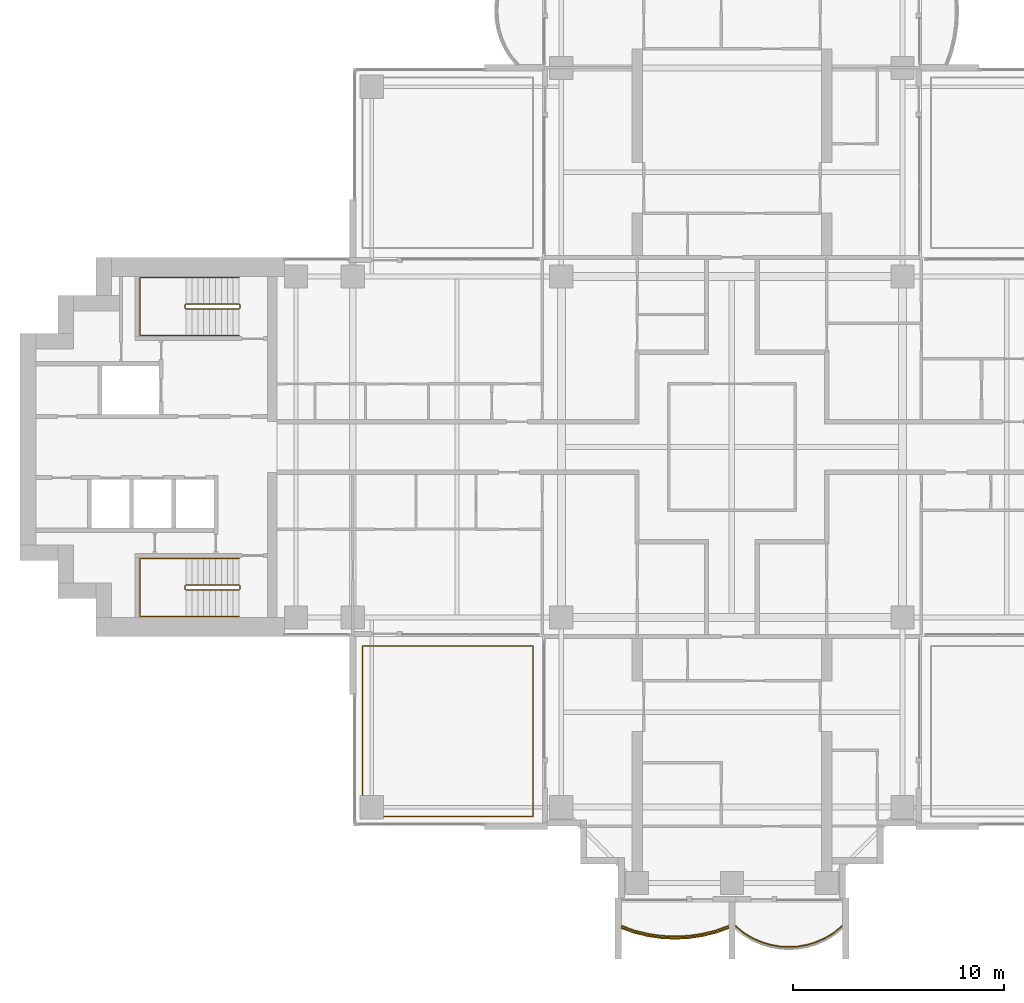
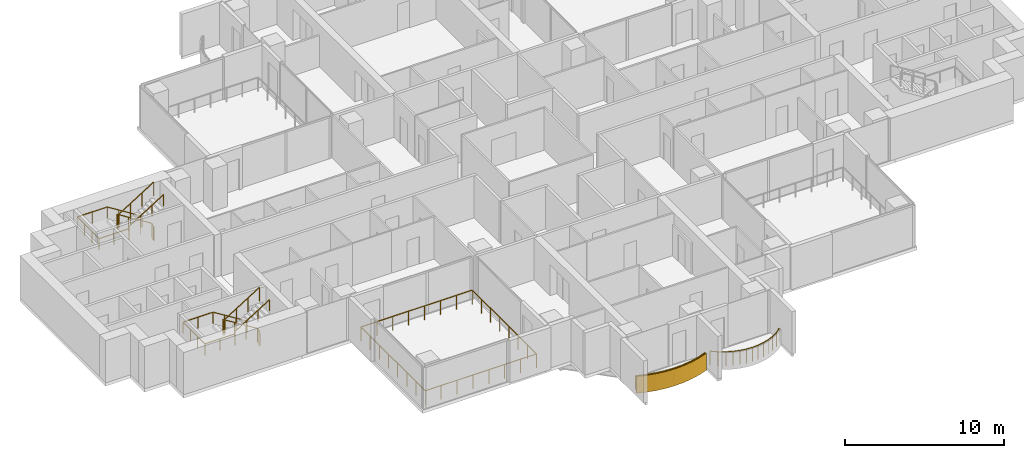
# One storey, part 16 of 18: 7 railings, 1 covering.
"""IFC4 building model written with IfcOpenShell, lengths in metres."""

from ifc_helpers import new_model, si_unit, direction, frame, origin, origin_2d, place, context, subcontext, project, spatial, polyline, rectangle, outline, extrude, material, layer, layer_set, type_object, element, save


model = new_model("IFC4")

# Units and contexts
model_context = context("Model", 3, precision=1e-05, world=origin(), true_north=direction((0.0, 1.0)))
body_context = subcontext(model_context, "Body", "Model", "MODEL_VIEW")
ifc_project = project(units=[si_unit("LENGTHUNIT", "METRE"), si_unit("AREAUNIT", "SQUARE_METRE"), si_unit("VOLUMEUNIT", "CUBIC_METRE"), si_unit("PLANEANGLEUNIT", "RADIAN"), si_unit("MASSUNIT", "GRAM", prefix="KILO")], contexts=[model_context])

# Site, building, storey
site_placement = place(None, origin())
site = spatial("IfcSite", under=ifc_project, at=site_placement, CompositionType="ELEMENT")
building_placement = place(site_placement, origin())
building = spatial("IfcBuilding", under=site, at=building_placement, Name="Perihelion Cross Residences", CompositionType="ELEMENT")
storey_placement = place(building_placement, frame((0.0, 0.0, 130.39990234375)))
storey = spatial("IfcBuildingStorey", under=building, at=storey_placement, Name="L31", CompositionType="ELEMENT", Elevation=130.39990234375)

# Covering
ifc_material_1 = material(Name="Bronze anodised aluminium", Category="aluminium")
ifc_layer = layer(ifc_material_1, 0.070068359375)
ifc_layer_set = layer_set([ifc_layer], Name="Balcony fascia 1300")
covering_type = type_object("IfcCoveringType", Name="Balcony fascia 1300", PredefinedType="CLADDING", material=ifc_layer_set)
covering_placement = place(storey_placement, frame((0.0, 0.0, -0.199951171875)))
element("IfcCovering", 1, at=covering_placement, inside=storey, type_object=covering_type, Name="Fascia BF1 L31 south tip south bay 1", PredefinedType="CLADDING", context=body_context, shape_type="SweptSolid", body=[
    extrude(outline(polyline([(-4.63232421875, -23.090576171875), (-3.98828125, -23.247314453125), (-3.34423828125, -23.339599609375), (-2.699951171875, -23.3701171875), (-2.055908203125, -23.339599609375), (-1.411865234375, -23.247314453125), (-0.767578125, -23.090576171875), (-0.14990234375, -22.874267578125), (-0.14990234375, -22.800048828125), (-0.78759765625, -23.0234375), (-1.425048828125, -23.178466796875), (-2.0625, -23.269775390625), (-2.699951171875, -23.300048828125), (-3.33740234375, -23.269775390625), (-3.97509765625, -23.178466796875), (-4.612548828125, -23.0234375), (-5.25, -22.800048828125), (-5.25, -22.874267578125), (-4.63232421875, -23.090576171875)])), origin(), (0.0, 0.0, 1.0), 1.300048828125),
])

# Railings
ifc_material_2 = material(Name="Bronze anodised aluminium", Category="aluminium")
railing_type_1 = type_object("IfcRailingType", Name="Balcony guard 1100", PredefinedType="GUARDRAIL", material=ifc_material_2)
railing_1_placement = place(storey_placement, frame((-5.22509765625, -22.739990234375, 0.0)))
element("IfcRailing", 2, at=railing_1_placement, inside=storey, type_object=railing_type_1, Name="Guard GU1 L31 south tip south bay 1 balcony", PredefinedType="GUARDRAIL", context=body_context, shape_type="SweptSolid", body=[
    extrude(rectangle(XDim=0.048095703125, YDim=0.048095703125, at=origin_2d()), frame((0.0, 0.0, 1.076171875), z_axis=(0.939355405384, -0.342945217749, 0.0), x_axis=(0.342945217749, 0.939355405384, 0.0)), (0.0, 0.0, 1.0), 0.652099609375),
    extrude(rectangle(XDim=0.048095703125, YDim=0.048095703125, at=origin_2d()), frame((0.612548828125, -0.2236328125, 1.076171875), z_axis=(0.971676841941, -0.236313594268, 0.0), x_axis=(0.236313594268, 0.971676841941, 0.0)), (0.0, 0.0, 1.0), 0.656005859375),
    extrude(rectangle(XDim=0.048095703125, YDim=0.048095703125, at=origin_2d()), frame((1.25, -0.378662109375, 1.076171875), z_axis=(0.989903964498, -0.141739694763, 0.0), x_axis=(0.141739694763, 0.989903964498, 0.0)), (0.0, 0.0, 1.0), 0.644287109375),
    extrude(rectangle(XDim=0.048095703125, YDim=0.048095703125, at=origin_2d()), frame((1.8876953125, -0.469970703125, 1.076171875), z_axis=(0.998892243319, -0.04705620296, 0.0), x_axis=(0.04705620296, 0.998892243319, 0.0)), (0.0, 0.0, 1.0), 0.63818359375),
    extrude(rectangle(XDim=0.048095703125, YDim=0.048095703125, at=origin_2d()), frame((2.525146484375, -0.5, 1.076171875), z_axis=(0.998892243319, 0.04705620296, 0.0), x_axis=(-0.04705620296, 0.998892243319, 0.0)), (0.0, 0.0, 1.0), 0.63818359375),
    extrude(rectangle(XDim=0.048095703125, YDim=0.048095703125, at=origin_2d()), frame((3.16259765625, -0.469970703125, 1.076171875), z_axis=(0.989896346386, 0.141792889142, 0.0), x_axis=(-0.141792889142, 0.989896346386, 0.0)), (0.0, 0.0, 1.0), 0.64404296875),
    extrude(rectangle(XDim=0.048095703125, YDim=0.048095703125, at=origin_2d()), frame((3.800048828125, -0.378662109375, 1.076171875), z_axis=(0.971676841941, 0.236313594268, 0.0), x_axis=(-0.236313594268, 0.971676841941, 0.0)), (0.0, 0.0, 1.0), 0.656005859375),
    extrude(rectangle(XDim=0.048095703125, YDim=0.048095703125, at=origin_2d()), frame((4.4375, -0.2236328125, 1.076171875), z_axis=(0.939355405384, 0.342945217749, 0.0), x_axis=(-0.342945217749, 0.939355405384, 0.0)), (0.0, 0.0, 1.0), 0.652099609375),
    extrude(rectangle(XDim=0.0419921875, YDim=0.0419921875, at=origin_2d()), origin(), (0.0, 0.0, 1.0), 1.052001953125),
    extrude(rectangle(XDim=0.0419921875, YDim=0.0419921875, at=origin_2d()), frame((0.612548828125, -0.2236328125, 0.0)), (0.0, 0.0, 1.0), 1.052001953125),
    extrude(rectangle(XDim=0.0419921875, YDim=0.0419921875, at=origin_2d()), frame((1.25, -0.378662109375, 0.0)), (0.0, 0.0, 1.0), 1.052001953125),
    extrude(rectangle(XDim=0.0419921875, YDim=0.0419921875, at=origin_2d()), frame((1.8876953125, -0.469970703125, 0.0)), (0.0, 0.0, 1.0), 1.052001953125),
    extrude(rectangle(XDim=0.0419921875, YDim=0.0419921875, at=origin_2d()), frame((2.525146484375, -0.5, 0.0)), (0.0, 0.0, 1.0), 1.052001953125),
    extrude(rectangle(XDim=0.0419921875, YDim=0.0419921875, at=origin_2d()), frame((3.16259765625, -0.469970703125, 0.0)), (0.0, 0.0, 1.0), 1.052001953125),
    extrude(rectangle(XDim=0.0419921875, YDim=0.0419921875, at=origin_2d()), frame((3.800048828125, -0.378662109375, 0.0)), (0.0, 0.0, 1.0), 1.052001953125),
    extrude(rectangle(XDim=0.0419921875, YDim=0.0419921875, at=origin_2d()), frame((4.4375, -0.2236328125, 0.0)), (0.0, 0.0, 1.0), 1.052001953125),
    extrude(rectangle(XDim=0.0419921875, YDim=0.0419921875, at=origin_2d()), frame((5.050048828125, 0.0, 0.0)), (0.0, 0.0, 1.0), 1.052001953125),
])
railing_2_placement = place(storey_placement, frame((0.175048828125, -22.739990234375, 0.0)))
element("IfcRailing", 3, at=railing_2_placement, inside=storey, type_object=railing_type_1, Name="Guard GU1 L31 south tip south bay 2 balcony", PredefinedType="GUARDRAIL", context=body_context, shape_type="SweptSolid", body=[
    extrude(rectangle(XDim=0.048095703125, YDim=0.048095703125, at=origin_2d()), frame((0.0, 0.0, 1.076171875), z_axis=(0.761778647315, -0.647837396648, 0.0), x_axis=(0.647837396648, 0.761778647315, 0.0)), (0.0, 0.0, 1.0), 0.52490234375),
    extrude(rectangle(XDim=0.048095703125, YDim=0.048095703125, at=origin_2d()), frame((0.39990234375, -0.340087890625, 1.076171875), z_axis=(0.859576918062, -0.511006381501, 0.0), x_axis=(0.511006381501, 0.859576918062, 0.0)), (0.0, 0.0, 1.0), 0.494384765625),
    extrude(rectangle(XDim=0.048095703125, YDim=0.048095703125, at=origin_2d()), frame((0.824951171875, -0.5927734375, 1.076171875), z_axis=(0.917831080218, -0.396971167952, 0.0), x_axis=(0.396971167952, 0.917831080218, 0.0)), (0.0, 0.0, 1.0), 0.463134765625),
    extrude(rectangle(XDim=0.048095703125, YDim=0.048095703125, at=origin_2d()), frame((1.25, -0.776611328125, 1.076171875), z_axis=(0.958925815697, -0.283656975924, 0.0), x_axis=(0.283656975924, 0.958925815697, 0.0)), (0.0, 0.0, 1.0), 0.443359375),
    extrude(rectangle(XDim=0.048095703125, YDim=0.048095703125, at=origin_2d()), frame((1.675048828125, -0.90234375, 1.076171875), z_axis=(0.985365142702, -0.170456843651, 0.0), x_axis=(0.170456843651, 0.985365142702, 0.0)), (0.0, 0.0, 1.0), 0.43115234375),
    extrude(rectangle(XDim=0.048095703125, YDim=0.048095703125, at=origin_2d()), frame((2.099853515625, -0.975830078125, 1.076171875), z_axis=(0.998387160354, -0.056772159032, 0.0), x_axis=(0.056772159032, 0.998387160354, 0.0)), (0.0, 0.0, 1.0), 0.42578125),
    extrude(rectangle(XDim=0.048095703125, YDim=0.048095703125, at=origin_2d()), frame((2.52490234375, -1.0, 1.076171875), z_axis=(0.998387160354, 0.056772159032, 0.0), x_axis=(-0.056772159032, 0.998387160354, 0.0)), (0.0, 0.0, 1.0), 0.42578125),
    extrude(rectangle(XDim=0.048095703125, YDim=0.048095703125, at=origin_2d()), frame((2.949951171875, -0.975830078125, 1.076171875), z_axis=(0.985381583142, 0.17036177859, 0.0), x_axis=(-0.17036177859, 0.985381583142, 0.0)), (0.0, 0.0, 1.0), 0.431396484375),
    extrude(rectangle(XDim=0.048095703125, YDim=0.048095703125, at=origin_2d()), frame((3.375, -0.90234375, 1.076171875), z_axis=(0.958925815697, 0.283656975924, 0.0), x_axis=(-0.283656975924, 0.958925815697, 0.0)), (0.0, 0.0, 1.0), 0.443359375),
    extrude(rectangle(XDim=0.048095703125, YDim=0.048095703125, at=origin_2d()), frame((3.800048828125, -0.776611328125, 1.076171875), z_axis=(0.917747942671, 0.397163333811, 0.0), x_axis=(-0.397163333811, 0.917747942671, 0.0)), (0.0, 0.0, 1.0), 0.462890625),
    extrude(rectangle(XDim=0.048095703125, YDim=0.048095703125, at=origin_2d()), frame((4.224853515625, -0.5927734375, 1.076171875), z_axis=(0.859576918062, 0.511006381501, 0.0), x_axis=(-0.511006381501, 0.859576918062, 0.0)), (0.0, 0.0, 1.0), 0.494384765625),
    extrude(rectangle(XDim=0.048095703125, YDim=0.048095703125, at=origin_2d()), frame((4.64990234375, -0.340087890625, 1.076171875), z_axis=(0.761973728849, 0.647607934281, 0.0), x_axis=(-0.647607934281, 0.761973728849, 0.0)), (0.0, 0.0, 1.0), 0.525146484375),
    extrude(rectangle(XDim=0.0419921875, YDim=0.0419921875, at=origin_2d()), origin(), (0.0, 0.0, 1.0), 1.052001953125),
    extrude(rectangle(XDim=0.0419921875, YDim=0.0419921875, at=origin_2d()), frame((0.39990234375, -0.340087890625, 0.0)), (0.0, 0.0, 1.0), 1.052001953125),
    extrude(rectangle(XDim=0.0419921875, YDim=0.0419921875, at=origin_2d()), frame((0.824951171875, -0.5927734375, 0.0)), (0.0, 0.0, 1.0), 1.052001953125),
    extrude(rectangle(XDim=0.0419921875, YDim=0.0419921875, at=origin_2d()), frame((1.25, -0.776611328125, 0.0)), (0.0, 0.0, 1.0), 1.052001953125),
    extrude(rectangle(XDim=0.0419921875, YDim=0.0419921875, at=origin_2d()), frame((1.675048828125, -0.90234375, 0.0)), (0.0, 0.0, 1.0), 1.052001953125),
    extrude(rectangle(XDim=0.0419921875, YDim=0.0419921875, at=origin_2d()), frame((2.099853515625, -0.975830078125, 0.0)), (0.0, 0.0, 1.0), 1.052001953125),
    extrude(rectangle(XDim=0.0419921875, YDim=0.0419921875, at=origin_2d()), frame((2.52490234375, -1.0, 0.0)), (0.0, 0.0, 1.0), 1.052001953125),
    extrude(rectangle(XDim=0.0419921875, YDim=0.0419921875, at=origin_2d()), frame((2.949951171875, -0.975830078125, 0.0)), (0.0, 0.0, 1.0), 1.052001953125),
    extrude(rectangle(XDim=0.0419921875, YDim=0.0419921875, at=origin_2d()), frame((3.375, -0.90234375, 0.0)), (0.0, 0.0, 1.0), 1.052001953125),
    extrude(rectangle(XDim=0.0419921875, YDim=0.0419921875, at=origin_2d()), frame((3.800048828125, -0.776611328125, 0.0)), (0.0, 0.0, 1.0), 1.052001953125),
    extrude(rectangle(XDim=0.0419921875, YDim=0.0419921875, at=origin_2d()), frame((4.224853515625, -0.5927734375, 0.0)), (0.0, 0.0, 1.0), 1.052001953125),
    extrude(rectangle(XDim=0.0419921875, YDim=0.0419921875, at=origin_2d()), frame((4.64990234375, -0.340087890625, 0.0)), (0.0, 0.0, 1.0), 1.052001953125),
    extrude(rectangle(XDim=0.0419921875, YDim=0.0419921875, at=origin_2d()), frame((5.050048828125, 0.0, 0.0)), (0.0, 0.0, 1.0), 1.052001953125),
])
railing_3_placement = place(storey_placement, frame((-9.449951171875, -17.550048828125, 0.0)))
element("IfcRailing", 4, at=railing_3_placement, inside=storey, type_object=railing_type_1, Name="Guard GU1 L31 pocket south-west 1", PredefinedType="GUARDRAIL", context=body_context, shape_type="SweptSolid", body=[
    extrude(rectangle(XDim=0.048095703125, YDim=0.048095703125, at=origin_2d()), frame((0.0, 0.0, 1.076171875), z_axis=(-1.0, 0.0, 0.0), x_axis=(0.0, -1.0, 0.0)), (0.0, 0.0, 1.0), 8.10009765625),
    extrude(rectangle(XDim=0.048095703125, YDim=0.048095703125, at=origin_2d()), frame((-8.10009765625, 0.0, 1.076171875), z_axis=(0.0, 1.0, 0.0), x_axis=(-1.0, 0.0, 0.0)), (0.0, 0.0, 1.0), 8.10009765625),
    extrude(rectangle(XDim=0.048095703125, YDim=0.048095703125, at=origin_2d()), frame((-8.10009765625, 8.10009765625, 1.076171875), z_axis=(1.0, 0.0, 0.0), x_axis=(0.0, 1.0, 0.0)), (0.0, 0.0, 1.0), 8.10009765625),
    extrude(rectangle(XDim=0.048095703125, YDim=0.048095703125, at=origin_2d()), frame((0.0, 8.10009765625, 1.076171875), z_axis=(0.0, -1.0, 0.0), x_axis=(1.0, 0.0, 0.0)), (0.0, 0.0, 1.0), 8.10009765625),
    extrude(rectangle(XDim=0.0419921875, YDim=0.0419921875, at=origin_2d()), origin(), (0.0, 0.0, 1.0), 1.052001953125),
    extrude(rectangle(XDim=0.0419921875, YDim=0.0419921875, at=origin_2d()), frame((-1.1572265625, 0.0, 0.0)), (0.0, 0.0, 1.0), 1.052001953125),
    extrude(rectangle(XDim=0.0419921875, YDim=0.0419921875, at=origin_2d()), frame((-2.314208984375, 0.0, 0.0)), (0.0, 0.0, 1.0), 1.052001953125),
    extrude(rectangle(XDim=0.0419921875, YDim=0.0419921875, at=origin_2d()), frame((-3.471435546875, 0.0, 0.0)), (0.0, 0.0, 1.0), 1.052001953125),
    extrude(rectangle(XDim=0.0419921875, YDim=0.0419921875, at=origin_2d()), frame((-4.628662109375, 0.0, 0.0)), (0.0, 0.0, 1.0), 1.052001953125),
    extrude(rectangle(XDim=0.0419921875, YDim=0.0419921875, at=origin_2d()), frame((-5.785888671875, 0.0, 0.0)), (0.0, 0.0, 1.0), 1.052001953125),
    extrude(rectangle(XDim=0.0419921875, YDim=0.0419921875, at=origin_2d()), frame((-6.94287109375, 0.0, 0.0)), (0.0, 0.0, 1.0), 1.052001953125),
    extrude(rectangle(XDim=0.0419921875, YDim=0.0419921875, at=origin_2d()), frame((-8.10009765625, 0.0, 0.0)), (0.0, 0.0, 1.0), 1.052001953125),
    extrude(rectangle(XDim=0.0419921875, YDim=0.0419921875, at=origin_2d()), frame((-8.10009765625, 1.1572265625, 0.0)), (0.0, 0.0, 1.0), 1.052001953125),
    extrude(rectangle(XDim=0.0419921875, YDim=0.0419921875, at=origin_2d()), frame((-8.10009765625, 2.314208984375, 0.0)), (0.0, 0.0, 1.0), 1.052001953125),
    extrude(rectangle(XDim=0.0419921875, YDim=0.0419921875, at=origin_2d()), frame((-8.10009765625, 3.471435546875, 0.0)), (0.0, 0.0, 1.0), 1.052001953125),
    extrude(rectangle(XDim=0.0419921875, YDim=0.0419921875, at=origin_2d()), frame((-8.10009765625, 4.628662109375, 0.0)), (0.0, 0.0, 1.0), 1.052001953125),
    extrude(rectangle(XDim=0.0419921875, YDim=0.0419921875, at=origin_2d()), frame((-8.10009765625, 5.785888671875, 0.0)), (0.0, 0.0, 1.0), 1.052001953125),
    extrude(rectangle(XDim=0.0419921875, YDim=0.0419921875, at=origin_2d()), frame((-8.10009765625, 6.94287109375, 0.0)), (0.0, 0.0, 1.0), 1.052001953125),
    extrude(rectangle(XDim=0.0419921875, YDim=0.0419921875, at=origin_2d()), frame((-8.10009765625, 8.10009765625, 0.0)), (0.0, 0.0, 1.0), 1.052001953125),
    extrude(rectangle(XDim=0.0419921875, YDim=0.0419921875, at=origin_2d()), frame((-6.94287109375, 8.10009765625, 0.0)), (0.0, 0.0, 1.0), 1.052001953125),
    extrude(rectangle(XDim=0.0419921875, YDim=0.0419921875, at=origin_2d()), frame((-5.785888671875, 8.10009765625, 0.0)), (0.0, 0.0, 1.0), 1.052001953125),
    extrude(rectangle(XDim=0.0419921875, YDim=0.0419921875, at=origin_2d()), frame((-4.628662109375, 8.10009765625, 0.0)), (0.0, 0.0, 1.0), 1.052001953125),
    extrude(rectangle(XDim=0.0419921875, YDim=0.0419921875, at=origin_2d()), frame((-3.471435546875, 8.10009765625, 0.0)), (0.0, 0.0, 1.0), 1.052001953125),
    extrude(rectangle(XDim=0.0419921875, YDim=0.0419921875, at=origin_2d()), frame((-2.314208984375, 8.10009765625, 0.0)), (0.0, 0.0, 1.0), 1.052001953125),
    extrude(rectangle(XDim=0.0419921875, YDim=0.0419921875, at=origin_2d()), frame((-1.1572265625, 8.10009765625, 0.0)), (0.0, 0.0, 1.0), 1.052001953125),
    extrude(rectangle(XDim=0.0419921875, YDim=0.0419921875, at=origin_2d()), frame((0.0, 8.10009765625, 0.0)), (0.0, 0.0, 1.0), 1.052001953125),
    extrude(rectangle(XDim=0.0419921875, YDim=0.0419921875, at=origin_2d()), frame((0.0, 6.94287109375, 0.0)), (0.0, 0.0, 1.0), 1.052001953125),
    extrude(rectangle(XDim=0.0419921875, YDim=0.0419921875, at=origin_2d()), frame((0.0, 5.785888671875, 0.0)), (0.0, 0.0, 1.0), 1.052001953125),
    extrude(rectangle(XDim=0.0419921875, YDim=0.0419921875, at=origin_2d()), frame((0.0, 4.628662109375, 0.0)), (0.0, 0.0, 1.0), 1.052001953125),
    extrude(rectangle(XDim=0.0419921875, YDim=0.0419921875, at=origin_2d()), frame((0.0, 3.471435546875, 0.0)), (0.0, 0.0, 1.0), 1.052001953125),
    extrude(rectangle(XDim=0.0419921875, YDim=0.0419921875, at=origin_2d()), frame((0.0, 2.314208984375, 0.0)), (0.0, 0.0, 1.0), 1.052001953125),
    extrude(rectangle(XDim=0.0419921875, YDim=0.0419921875, at=origin_2d()), frame((0.0, 1.1572265625, 0.0)), (0.0, 0.0, 1.0), 1.052001953125),
])
ifc_material_3 = material(Name="Stainless steel", Category="steel")
railing_type_2 = type_object("IfcRailingType", Name="Stair guard 1100", PredefinedType="GUARDRAIL", material=ifc_material_3)
railing_4_placement = place(storey_placement, frame((-23.35009765625, 6.60009765625, 0.0)))
element("IfcRailing", 5, at=railing_4_placement, inside=storey, type_object=railing_type_2, Name="L31 ST-W1 stair guard 1", PredefinedType="GUARDRAIL", context=body_context, shape_type="SweptSolid", body=[
    extrude(rectangle(XDim=0.048095703125, YDim=0.048095703125, at=origin_2d()), frame((0.0, 0.0, 1.076171875), z_axis=(0.0, 1.0, 0.0), x_axis=(-1.0, 0.0, 0.0)), (0.0, 0.0, 1.0), 0.14990234375),
    extrude(rectangle(XDim=0.048095703125, YDim=0.048095703125, at=origin_2d()), frame((0.0, 0.14990234375, 1.076171875), z_axis=(-0.263862480399, 0.265155923931, 0.927399011991), x_axis=(-0.708833529934, -0.705375805398, 0.0)), (0.0, 0.0, 1.0), 0.188720703125),
    extrude(rectangle(XDim=0.048095703125, YDim=0.048095703125, at=origin_2d()), frame((-0.0498046875, 0.199951171875, 1.2509765625), z_axis=(-0.848007534815, 0.0, 0.529984170421), x_axis=(0.0, -1.0, 0.0)), (0.0, 0.0, 1.0), 2.9716796875),
    extrude(rectangle(XDim=0.048095703125, YDim=0.048095703125, at=origin_2d()), frame((-2.56982421875, 0.199951171875, 2.826171875), z_axis=(-0.707106781187, -0.707106781187, 0.0), x_axis=(0.707106781187, -0.707106781187, 0.0)), (0.0, 0.0, 1.0), 0.07080078125),
    extrude(rectangle(XDim=0.048095703125, YDim=0.048095703125, at=origin_2d()), frame((-2.619873046875, 0.14990234375, 2.826171875), z_axis=(0.0, -1.0, 0.0), x_axis=(1.0, 0.0, 0.0)), (0.0, 0.0, 1.0), 0.14990234375),
    extrude(rectangle(XDim=0.048095703125, YDim=0.048095703125, at=origin_2d()), frame((-2.619873046875, 0.0, 2.826171875), z_axis=(0.265065253269, -0.265065253269, 0.927081885822), x_axis=(0.707106781187, 0.707106781187, 0.0)), (0.0, 0.0, 1.0), 0.188720703125),
    extrude(rectangle(XDim=0.048095703125, YDim=0.048095703125, at=origin_2d()), frame((-2.56982421875, -0.050048828125, 3.0009765625), z_axis=(0.848007534815, 0.0, 0.529984170421), x_axis=(0.0, 1.0, 0.0)), (0.0, 0.0, 1.0), 2.9716796875),
    extrude(rectangle(XDim=0.0419921875, YDim=0.0419921875, at=origin_2d()), origin(), (0.0, 0.0, 1.0), 1.052001953125),
    extrude(rectangle(XDim=0.0419921875, YDim=0.0419921875, at=origin_2d()), frame((0.0, 0.14990234375, 0.0)), (0.0, 0.0, 1.0), 1.052001953125),
    extrude(rectangle(XDim=0.0419921875, YDim=0.0419921875, at=origin_2d()), frame((-0.0498046875, 0.199951171875, 0.175048828125)), (0.0, 0.0, 1.0), 1.052001953125),
    extrude(rectangle(XDim=0.0419921875, YDim=0.0419921875, at=origin_2d()), frame((-0.889892578125, 0.199951171875, 0.699951171875)), (0.0, 0.0, 1.0), 1.052001953125),
    extrude(rectangle(XDim=0.0419921875, YDim=0.0419921875, at=origin_2d()), frame((-1.729736328125, 0.199951171875, 1.22509765625)), (0.0, 0.0, 1.0), 1.052001953125),
    extrude(rectangle(XDim=0.0419921875, YDim=0.0419921875, at=origin_2d()), frame((-2.56982421875, 0.199951171875, 1.75)), (0.0, 0.0, 1.0), 1.052001953125),
    extrude(rectangle(XDim=0.0419921875, YDim=0.0419921875, at=origin_2d()), frame((-2.619873046875, 0.14990234375, 1.75)), (0.0, 0.0, 1.0), 1.052001953125),
    extrude(rectangle(XDim=0.0419921875, YDim=0.0419921875, at=origin_2d()), frame((-2.619873046875, 0.0, 1.75)), (0.0, 0.0, 1.0), 1.052001953125),
    extrude(rectangle(XDim=0.0419921875, YDim=0.0419921875, at=origin_2d()), frame((-2.56982421875, -0.050048828125, 1.925048828125)), (0.0, 0.0, 1.0), 1.052001953125),
    extrude(rectangle(XDim=0.0419921875, YDim=0.0419921875, at=origin_2d()), frame((-1.729736328125, -0.050048828125, 2.449951171875)), (0.0, 0.0, 1.0), 1.052001953125),
    extrude(rectangle(XDim=0.0419921875, YDim=0.0419921875, at=origin_2d()), frame((-0.889892578125, -0.050048828125, 2.97509765625)), (0.0, 0.0, 1.0), 1.052001953125),
    extrude(rectangle(XDim=0.0419921875, YDim=0.0419921875, at=origin_2d()), frame((-0.0498046875, -0.050048828125, 3.5)), (0.0, 0.0, 1.0), 1.052001953125),
])
railing_5_placement = place(storey_placement, frame((-23.35009765625, -6.75, 0.0)))
element("IfcRailing", 6, at=railing_5_placement, inside=storey, type_object=railing_type_2, Name="L31 ST-W2 stair guard 1", PredefinedType="GUARDRAIL", context=body_context, shape_type="SweptSolid", body=[
    extrude(rectangle(XDim=0.048095703125, YDim=0.048095703125, at=origin_2d()), frame((0.0, 0.0, 1.076171875), z_axis=(0.0, 1.0, 0.0), x_axis=(-1.0, 0.0, 0.0)), (0.0, 0.0, 1.0), 0.14990234375),
    extrude(rectangle(XDim=0.048095703125, YDim=0.048095703125, at=origin_2d()), frame((0.0, 0.14990234375, 1.076171875), z_axis=(-0.263862480399, 0.265155923931, 0.927399011991), x_axis=(-0.708833529934, -0.705375805398, 0.0)), (0.0, 0.0, 1.0), 0.188720703125),
    extrude(rectangle(XDim=0.048095703125, YDim=0.048095703125, at=origin_2d()), frame((-0.0498046875, 0.199951171875, 1.2509765625), z_axis=(-0.848007534815, 0.0, 0.529984170421), x_axis=(0.0, -1.0, 0.0)), (0.0, 0.0, 1.0), 2.9716796875),
    extrude(rectangle(XDim=0.048095703125, YDim=0.048095703125, at=origin_2d()), frame((-2.56982421875, 0.199951171875, 2.826171875), z_axis=(-0.707106781187, -0.707106781187, 0.0), x_axis=(0.707106781187, -0.707106781187, 0.0)), (0.0, 0.0, 1.0), 0.07080078125),
    extrude(rectangle(XDim=0.048095703125, YDim=0.048095703125, at=origin_2d()), frame((-2.619873046875, 0.14990234375, 2.826171875), z_axis=(0.0, -1.0, 0.0), x_axis=(1.0, 0.0, 0.0)), (0.0, 0.0, 1.0), 0.14990234375),
    extrude(rectangle(XDim=0.048095703125, YDim=0.048095703125, at=origin_2d()), frame((-2.619873046875, 0.0, 2.826171875), z_axis=(0.265065253269, -0.265065253269, 0.927081885822), x_axis=(0.707106781187, 0.707106781187, 0.0)), (0.0, 0.0, 1.0), 0.188720703125),
    extrude(rectangle(XDim=0.048095703125, YDim=0.048095703125, at=origin_2d()), frame((-2.56982421875, -0.050048828125, 3.0009765625), z_axis=(0.848007534815, 0.0, 0.529984170421), x_axis=(0.0, 1.0, 0.0)), (0.0, 0.0, 1.0), 2.9716796875),
    extrude(rectangle(XDim=0.0419921875, YDim=0.0419921875, at=origin_2d()), origin(), (0.0, 0.0, 1.0), 1.052001953125),
    extrude(rectangle(XDim=0.0419921875, YDim=0.0419921875, at=origin_2d()), frame((0.0, 0.14990234375, 0.0)), (0.0, 0.0, 1.0), 1.052001953125),
    extrude(rectangle(XDim=0.0419921875, YDim=0.0419921875, at=origin_2d()), frame((-0.0498046875, 0.199951171875, 0.175048828125)), (0.0, 0.0, 1.0), 1.052001953125),
    extrude(rectangle(XDim=0.0419921875, YDim=0.0419921875, at=origin_2d()), frame((-0.889892578125, 0.199951171875, 0.699951171875)), (0.0, 0.0, 1.0), 1.052001953125),
    extrude(rectangle(XDim=0.0419921875, YDim=0.0419921875, at=origin_2d()), frame((-1.729736328125, 0.199951171875, 1.22509765625)), (0.0, 0.0, 1.0), 1.052001953125),
    extrude(rectangle(XDim=0.0419921875, YDim=0.0419921875, at=origin_2d()), frame((-2.56982421875, 0.199951171875, 1.75)), (0.0, 0.0, 1.0), 1.052001953125),
    extrude(rectangle(XDim=0.0419921875, YDim=0.0419921875, at=origin_2d()), frame((-2.619873046875, 0.14990234375, 1.75)), (0.0, 0.0, 1.0), 1.052001953125),
    extrude(rectangle(XDim=0.0419921875, YDim=0.0419921875, at=origin_2d()), frame((-2.619873046875, 0.0, 1.75)), (0.0, 0.0, 1.0), 1.052001953125),
    extrude(rectangle(XDim=0.0419921875, YDim=0.0419921875, at=origin_2d()), frame((-2.56982421875, -0.050048828125, 1.925048828125)), (0.0, 0.0, 1.0), 1.052001953125),
    extrude(rectangle(XDim=0.0419921875, YDim=0.0419921875, at=origin_2d()), frame((-1.729736328125, -0.050048828125, 2.449951171875)), (0.0, 0.0, 1.0), 1.052001953125),
    extrude(rectangle(XDim=0.0419921875, YDim=0.0419921875, at=origin_2d()), frame((-0.889892578125, -0.050048828125, 2.97509765625)), (0.0, 0.0, 1.0), 1.052001953125),
    extrude(rectangle(XDim=0.0419921875, YDim=0.0419921875, at=origin_2d()), frame((-0.0498046875, -0.050048828125, 3.5)), (0.0, 0.0, 1.0), 1.052001953125),
])
ifc_material_4 = material(Name="Stainless steel", Category="steel")
railing_type_3 = type_object("IfcRailingType", Name="Stair handrail 900", PredefinedType="HANDRAIL", material=ifc_material_4)
railing_6_placement = place(storey_placement, frame((-23.39990234375, 8.050048828125, 0.175048828125)))
element("IfcRailing", 7, at=railing_6_placement, inside=storey, type_object=railing_type_3, Name="L31 ST-W1 stair handrail 1", PredefinedType="HANDRAIL", context=body_context, shape_type="SweptSolid", body=[
    extrude(rectangle(XDim=0.048095703125, YDim=0.048095703125, at=origin_2d()), frame((0.0, 0.0, 0.8759765625), z_axis=(-0.848007534815, 0.0, 0.529984170421), x_axis=(0.0, -1.0, 0.0)), (0.0, 0.0, 1.0), 2.9716796875),
    extrude(rectangle(XDim=0.048095703125, YDim=0.048095703125, at=origin_2d()), frame((-2.52001953125, 0.0, 2.45068359375), z_axis=(-1.0, 0.0, 0.0), x_axis=(0.0, -1.0, 0.0)), (0.0, 0.0, 1.0), 2.18017578125),
    extrude(rectangle(XDim=0.048095703125, YDim=0.048095703125, at=origin_2d()), frame((-4.7001953125, 0.0, 2.45068359375), z_axis=(0.0, -1.0, 0.0), x_axis=(1.0, 0.0, 0.0)), (0.0, 0.0, 1.0), 2.75),
    extrude(rectangle(XDim=0.048095703125, YDim=0.048095703125, at=origin_2d()), frame((-4.7001953125, -2.75, 2.45068359375), z_axis=(1.0, 0.0, 0.0), x_axis=(0.0, 1.0, 0.0)), (0.0, 0.0, 1.0), 2.18017578125),
    extrude(rectangle(XDim=0.048095703125, YDim=0.048095703125, at=origin_2d()), frame((-2.52001953125, -2.75, 2.45068359375), z_axis=(0.0, 0.0, 1.0), x_axis=(1.0, 0.0, 0.0)), (0.0, 0.0, 1.0), 0.175048828125),
    extrude(rectangle(XDim=0.048095703125, YDim=0.048095703125, at=origin_2d()), frame((-2.52001953125, -2.75, 2.6259765625), z_axis=(0.848007534815, 0.0, 0.529984170421), x_axis=(0.0, 1.0, 0.0)), (0.0, 0.0, 1.0), 2.9716796875),
    extrude(rectangle(XDim=0.0419921875, YDim=0.0419921875, at=origin_2d()), origin(), (0.0, 0.0, 1.0), 0.851806640625),
    extrude(rectangle(XDim=0.0419921875, YDim=0.0419921875, at=origin_2d()), frame((-0.840087890625, 0.0, 0.52490234375)), (0.0, 0.0, 1.0), 0.851806640625),
    extrude(rectangle(XDim=0.0419921875, YDim=0.0419921875, at=origin_2d()), frame((-1.679931640625, 0.0, 1.050048828125)), (0.0, 0.0, 1.0), 0.851806640625),
    extrude(rectangle(XDim=0.0419921875, YDim=0.0419921875, at=origin_2d()), frame((-2.52001953125, 0.0, 1.574951171875)), (0.0, 0.0, 1.0), 0.851806640625),
    extrude(rectangle(XDim=0.0419921875, YDim=0.0419921875, at=origin_2d()), frame((-3.610107421875, 0.0, 1.574951171875)), (0.0, 0.0, 1.0), 0.851806640625),
    extrude(rectangle(XDim=0.0419921875, YDim=0.0419921875, at=origin_2d()), frame((-4.7001953125, 0.0, 1.574951171875)), (0.0, 0.0, 1.0), 0.851806640625),
    extrude(rectangle(XDim=0.0419921875, YDim=0.0419921875, at=origin_2d()), frame((-4.7001953125, -0.916748046875, 1.574951171875)), (0.0, 0.0, 1.0), 0.851806640625),
    extrude(rectangle(XDim=0.0419921875, YDim=0.0419921875, at=origin_2d()), frame((-4.7001953125, -1.833251953125, 1.574951171875)), (0.0, 0.0, 1.0), 0.851806640625),
    extrude(rectangle(XDim=0.0419921875, YDim=0.0419921875, at=origin_2d()), frame((-4.7001953125, -2.75, 1.574951171875)), (0.0, 0.0, 1.0), 0.851806640625),
    extrude(rectangle(XDim=0.0419921875, YDim=0.0419921875, at=origin_2d()), frame((-3.610107421875, -2.75, 1.574951171875)), (0.0, 0.0, 1.0), 0.851806640625),
    extrude(rectangle(XDim=0.0419921875, YDim=0.0419921875, at=origin_2d()), frame((-2.52001953125, -2.75, 1.574951171875)), (0.0, 0.0, 1.0), 0.851806640625),
    extrude(rectangle(XDim=0.0419921875, YDim=0.0419921875, at=origin_2d()), frame((-2.52001953125, -2.75, 1.75)), (0.0, 0.0, 1.0), 0.851806640625),
    extrude(rectangle(XDim=0.0419921875, YDim=0.0419921875, at=origin_2d()), frame((-1.679931640625, -2.75, 2.27490234375)), (0.0, 0.0, 1.0), 0.851806640625),
    extrude(rectangle(XDim=0.0419921875, YDim=0.0419921875, at=origin_2d()), frame((-0.840087890625, -2.75, 2.800048828125)), (0.0, 0.0, 1.0), 0.851806640625),
    extrude(rectangle(XDim=0.0419921875, YDim=0.0419921875, at=origin_2d()), frame((0.0, -2.75, 3.324951171875)), (0.0, 0.0, 1.0), 0.851806640625),
])
railing_7_placement = place(storey_placement, frame((-23.39990234375, -5.300048828125, 0.175048828125)))
element("IfcRailing", 8, at=railing_7_placement, inside=storey, type_object=railing_type_3, Name="L31 ST-W2 stair handrail 1", PredefinedType="HANDRAIL", context=body_context, shape_type="SweptSolid", body=[
    extrude(rectangle(XDim=0.048095703125, YDim=0.048095703125, at=origin_2d()), frame((0.0, 0.0, 0.8759765625), z_axis=(-0.848007534815, 0.0, 0.529984170421), x_axis=(0.0, -1.0, 0.0)), (0.0, 0.0, 1.0), 2.9716796875),
    extrude(rectangle(XDim=0.048095703125, YDim=0.048095703125, at=origin_2d()), frame((-2.52001953125, 0.0, 2.45068359375), z_axis=(-1.0, 0.0, 0.0), x_axis=(0.0, -1.0, 0.0)), (0.0, 0.0, 1.0), 2.18017578125),
    extrude(rectangle(XDim=0.048095703125, YDim=0.048095703125, at=origin_2d()), frame((-4.7001953125, 0.0, 2.45068359375), z_axis=(0.0, -1.0, 0.0), x_axis=(1.0, 0.0, 0.0)), (0.0, 0.0, 1.0), 2.75),
    extrude(rectangle(XDim=0.048095703125, YDim=0.048095703125, at=origin_2d()), frame((-4.7001953125, -2.75, 2.45068359375), z_axis=(1.0, 0.0, 0.0), x_axis=(0.0, 1.0, 0.0)), (0.0, 0.0, 1.0), 2.18017578125),
    extrude(rectangle(XDim=0.048095703125, YDim=0.048095703125, at=origin_2d()), frame((-2.52001953125, -2.75, 2.45068359375), z_axis=(0.0, 0.0, 1.0), x_axis=(1.0, 0.0, 0.0)), (0.0, 0.0, 1.0), 0.175048828125),
    extrude(rectangle(XDim=0.048095703125, YDim=0.048095703125, at=origin_2d()), frame((-2.52001953125, -2.75, 2.6259765625), z_axis=(0.848007534815, 0.0, 0.529984170421), x_axis=(0.0, 1.0, 0.0)), (0.0, 0.0, 1.0), 2.9716796875),
    extrude(rectangle(XDim=0.0419921875, YDim=0.0419921875, at=origin_2d()), origin(), (0.0, 0.0, 1.0), 0.851806640625),
    extrude(rectangle(XDim=0.0419921875, YDim=0.0419921875, at=origin_2d()), frame((-0.840087890625, 0.0, 0.52490234375)), (0.0, 0.0, 1.0), 0.851806640625),
    extrude(rectangle(XDim=0.0419921875, YDim=0.0419921875, at=origin_2d()), frame((-1.679931640625, 0.0, 1.050048828125)), (0.0, 0.0, 1.0), 0.851806640625),
    extrude(rectangle(XDim=0.0419921875, YDim=0.0419921875, at=origin_2d()), frame((-2.52001953125, 0.0, 1.574951171875)), (0.0, 0.0, 1.0), 0.851806640625),
    extrude(rectangle(XDim=0.0419921875, YDim=0.0419921875, at=origin_2d()), frame((-3.610107421875, 0.0, 1.574951171875)), (0.0, 0.0, 1.0), 0.851806640625),
    extrude(rectangle(XDim=0.0419921875, YDim=0.0419921875, at=origin_2d()), frame((-4.7001953125, 0.0, 1.574951171875)), (0.0, 0.0, 1.0), 0.851806640625),
    extrude(rectangle(XDim=0.0419921875, YDim=0.0419921875, at=origin_2d()), frame((-4.7001953125, -0.916748046875, 1.574951171875)), (0.0, 0.0, 1.0), 0.851806640625),
    extrude(rectangle(XDim=0.0419921875, YDim=0.0419921875, at=origin_2d()), frame((-4.7001953125, -1.833251953125, 1.574951171875)), (0.0, 0.0, 1.0), 0.851806640625),
    extrude(rectangle(XDim=0.0419921875, YDim=0.0419921875, at=origin_2d()), frame((-4.7001953125, -2.75, 1.574951171875)), (0.0, 0.0, 1.0), 0.851806640625),
    extrude(rectangle(XDim=0.0419921875, YDim=0.0419921875, at=origin_2d()), frame((-3.610107421875, -2.75, 1.574951171875)), (0.0, 0.0, 1.0), 0.851806640625),
    extrude(rectangle(XDim=0.0419921875, YDim=0.0419921875, at=origin_2d()), frame((-2.52001953125, -2.75, 1.574951171875)), (0.0, 0.0, 1.0), 0.851806640625),
    extrude(rectangle(XDim=0.0419921875, YDim=0.0419921875, at=origin_2d()), frame((-2.52001953125, -2.75, 1.75)), (0.0, 0.0, 1.0), 0.851806640625),
    extrude(rectangle(XDim=0.0419921875, YDim=0.0419921875, at=origin_2d()), frame((-1.679931640625, -2.75, 2.27490234375)), (0.0, 0.0, 1.0), 0.851806640625),
    extrude(rectangle(XDim=0.0419921875, YDim=0.0419921875, at=origin_2d()), frame((-0.840087890625, -2.75, 2.800048828125)), (0.0, 0.0, 1.0), 0.851806640625),
    extrude(rectangle(XDim=0.0419921875, YDim=0.0419921875, at=origin_2d()), frame((0.0, -2.75, 3.324951171875)), (0.0, 0.0, 1.0), 0.851806640625),
])

save(model, "model.ifc")
